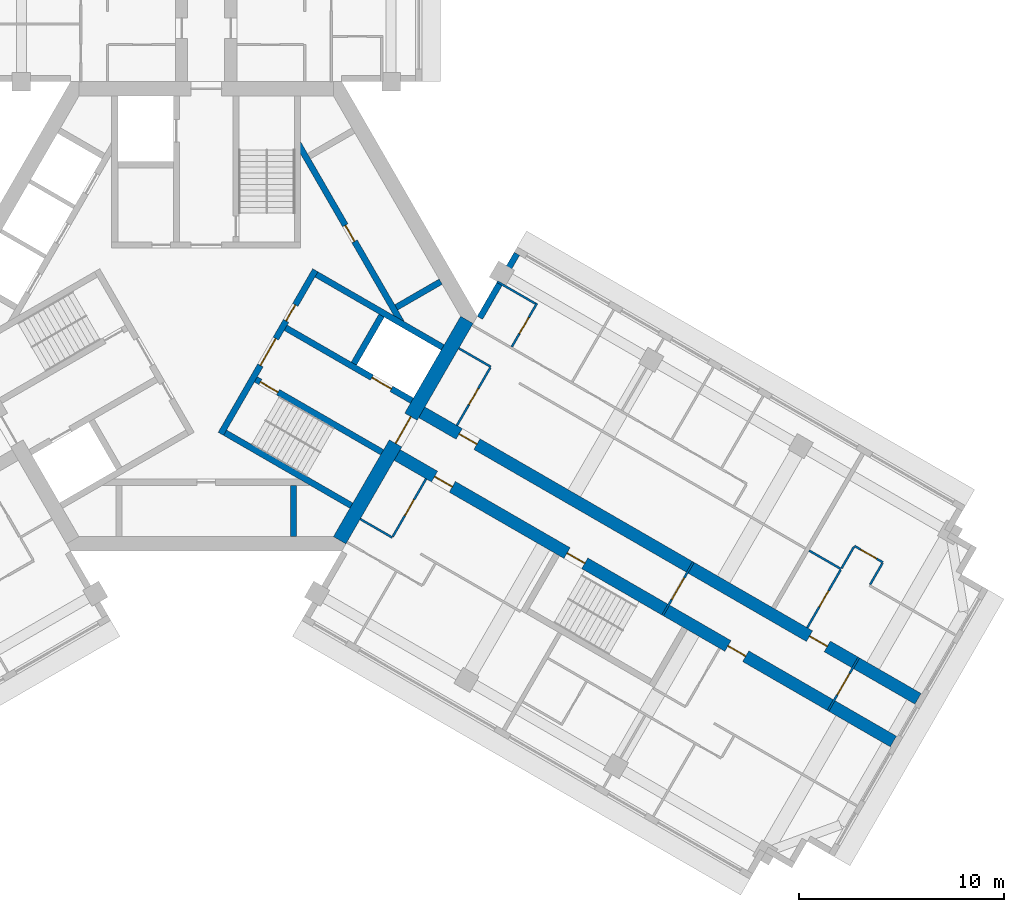
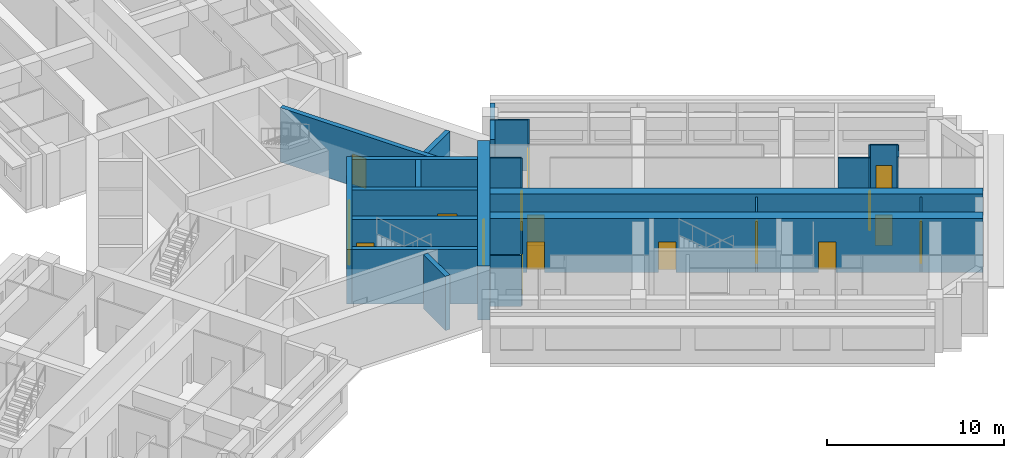
# One storey, part 5 of 10: 26 walls, 18 doors, 18 openings.
"""IFC4 building model written with IfcOpenShell, lengths in metres."""

from ifc_helpers import new_model, si_unit, direction, frame, frame_2d, origin, place, context, subcontext, project, spatial, rectangle, extrude, material, layer, layer_set, type_object, element, fill, save


model = new_model("IFC4")

# Units and contexts
model_context = context("Model", 3, precision=1e-05, world=origin(), true_north=direction((0.0, 1.0)))
body_context = subcontext(model_context, "Body", "Model", "MODEL_VIEW")
ifc_project = project(units=[si_unit("LENGTHUNIT", "METRE"), si_unit("AREAUNIT", "SQUARE_METRE"), si_unit("VOLUMEUNIT", "CUBIC_METRE"), si_unit("PLANEANGLEUNIT", "RADIAN"), si_unit("MASSUNIT", "GRAM", prefix="KILO")], contexts=[model_context])

# Site, building, storey
site_placement = place(None, origin())
site = spatial("IfcSite", under=ifc_project, at=site_placement, CompositionType="ELEMENT")
building_placement = place(site_placement, origin())
building = spatial("IfcBuilding", under=site, at=building_placement, Name="Impinga Residences", CompositionType="ELEMENT")
storey_placement = place(building_placement, frame((0.0, 0.0, 237.25)))
storey = spatial("IfcBuildingStorey", under=building, at=storey_placement, Name="L59", CompositionType="ELEMENT", Elevation=237.25)

# Wall, openings, doors
ifc_material_1 = material(Name="Concrete C60/75", Category="concrete")
ifc_layer_1 = layer(ifc_material_1, 0.60009765625)
ifc_layer_set_1 = layer_set([ifc_layer_1], Name="Concrete C60/75")
wall_type_1 = type_object("IfcWallType", Name="BW3 corridor buttress wall, L46 to L73 600", PredefinedType="SHEAR", material=ifc_layer_set_1)
wall_1_placement = place(storey_placement, frame((10.19677734375, -4.50146484375, 0.0), z_axis=(0.0, 0.0, 1.0), x_axis=(0.866026415941, -0.499998246889, 0.0)))
wall_1 = element("IfcWall", 1, at=wall_1_placement, inside=storey, type_object=wall_type_1, Name="Corridor wall BW3 EC L59", PredefinedType="SHEAR", context=body_context, shape_type="SweptSolid", body=[
    extrude(rectangle(XDim=28.25, YDim=0.60009765625, at=frame_2d((14.125, 0.0))), origin(), (0.0, 0.0, 1.0), 3.75),
])
opening_1_placement = place(wall_1_placement, frame((2.449951171875, 0.0, 0.0)))
opening_1 = element("IfcOpeningElement", 2, at=opening_1_placement, cuts=wall_1, Name="Opening D1", PredefinedType="OPENING", context=body_context, shape_type="SweptSolid", body=[
    extrude(rectangle(XDim=1.0, YDim=2.10009765625, at=frame_2d((0.5, 1.050048828125))), frame((0.0, 0.31005859375, 0.0), z_axis=(0.0, -1.0, 0.0), x_axis=(1.0, 0.0, 0.0)), (0.0, 0.0, 1.0), 0.6201171875),
])
opening_2_placement = place(wall_1_placement, frame((22.14990234375, 0.0, 0.0)))
opening_2 = element("IfcOpeningElement", 3, at=opening_2_placement, cuts=wall_1, Name="Opening D1", PredefinedType="OPENING", context=body_context, shape_type="SweptSolid", body=[
    extrude(rectangle(XDim=1.0, YDim=2.10009765625, at=frame_2d((0.5, 1.050048828125))), frame((0.0, 0.31005859375, 0.0), z_axis=(0.0, -1.0, 0.0), x_axis=(1.0, 0.0, 0.0)), (0.0, 0.0, 1.0), 0.6201171875),
])
ifc_material_2 = material(Name="Timber door set", Category="wood")
door_type_1 = type_object("IfcDoorType", Name="D1 apartment entrance door 1000x2100", OperationType="SINGLE_SWING_LEFT", PredefinedType="DOOR", material=ifc_material_2)
door_1_placement = place(opening_1_placement, origin())
door_1 = element("IfcDoor", 4, at=door_1_placement, inside=storey, type_object=door_type_1, Name="Apartment L59-EA1 entrance", OperationType="SINGLE_SWING_LEFT", OverallHeight=2.10009765625, OverallWidth=1.0, PredefinedType="DOOR", context=body_context, shape_type="SweptSolid", body=[
    extrude(rectangle(XDim=1.0, YDim=2.10009765625, at=frame_2d((0.5, 1.050048828125))), frame((0.0, 0.02490234375, 0.0), z_axis=(0.0, -1.0, 0.0), x_axis=(1.0, 0.0, 0.0)), (0.0, 0.0, 1.0), 0.050048828125),
])
fill(opening_1, door_1)
door_2_placement = place(opening_2_placement, origin())
door_2 = element("IfcDoor", 5, at=door_2_placement, inside=storey, type_object=door_type_1, Name="Apartment L59-EA2 entrance", OperationType="SINGLE_SWING_RIGHT", OverallHeight=2.10009765625, OverallWidth=1.0, PredefinedType="DOOR", context=body_context, shape_type="SweptSolid", body=[
    extrude(rectangle(XDim=1.0, YDim=2.10009765625, at=frame_2d((0.5, 1.050048828125))), frame((0.0, 0.02490234375, 0.0), z_axis=(0.0, -1.0, 0.0), x_axis=(1.0, 0.0, 0.0)), (0.0, 0.0, 1.0), 0.050048828125),
])
fill(opening_2, door_2)

wall_2_placement = place(storey_placement, frame((8.996826171875, -6.580078125, 0.0), z_axis=(0.0, 0.0, 1.0), x_axis=(0.866026415941, -0.499998246889, 0.0)))
wall_2 = element("IfcWall", 6, at=wall_2_placement, inside=storey, type_object=wall_type_1, Name="Corridor wall BW3 ED L59", PredefinedType="SHEAR", context=body_context, shape_type="SweptSolid", body=[
    extrude(rectangle(XDim=28.25, YDim=0.60009765625, at=frame_2d((14.125, 0.0))), origin(), (0.0, 0.0, 1.0), 3.75),
])
opening_3_placement = place(wall_2_placement, frame((9.89990234375, 0.0, 0.0)))
opening_3 = element("IfcOpeningElement", 7, at=opening_3_placement, cuts=wall_2, Name="Opening D5", PredefinedType="OPENING", context=body_context, shape_type="SweptSolid", body=[
    extrude(rectangle(XDim=1.0, YDim=2.10009765625, at=frame_2d((0.5, 1.050048828125))), frame((0.0, 0.31005859375, 0.0), z_axis=(0.0, -1.0, 0.0), x_axis=(1.0, 0.0, 0.0)), (0.0, 0.0, 1.0), 0.6201171875),
])
opening_4_placement = place(wall_2_placement, frame((2.449951171875, 0.0, 0.0)))
opening_4 = element("IfcOpeningElement", 8, at=opening_4_placement, cuts=wall_2, Name="Opening D1", PredefinedType="OPENING", context=body_context, shape_type="SweptSolid", body=[
    extrude(rectangle(XDim=1.0, YDim=2.10009765625, at=frame_2d((0.5, 1.050048828125))), frame((0.0, 0.31005859375, 0.0), z_axis=(0.0, -1.0, 0.0), x_axis=(1.0, 0.0, 0.0)), (0.0, 0.0, 1.0), 0.6201171875),
])
opening_5_placement = place(wall_2_placement, frame((18.949951171875, 0.0, 0.0)))
opening_5 = element("IfcOpeningElement", 9, at=opening_5_placement, cuts=wall_2, Name="Opening D1", PredefinedType="OPENING", context=body_context, shape_type="SweptSolid", body=[
    extrude(rectangle(XDim=1.0, YDim=2.10009765625, at=frame_2d((0.5, 1.050048828125))), frame((0.0, 0.31005859375, 0.0), z_axis=(0.0, -1.0, 0.0), x_axis=(1.0, 0.0, 0.0)), (0.0, 0.0, 1.0), 0.6201171875),
])
door_3_placement = place(opening_4_placement, origin())
door_3 = element("IfcDoor", 10, at=door_3_placement, inside=storey, type_object=door_type_1, Name="Apartment L59-EF1 entrance", OperationType="SINGLE_SWING_LEFT", OverallHeight=2.10009765625, OverallWidth=1.0, PredefinedType="DOOR", context=body_context, shape_type="SweptSolid", body=[
    extrude(rectangle(XDim=1.0, YDim=2.10009765625, at=frame_2d((0.5, 1.050048828125))), frame((0.0, 0.02490234375, 0.0), z_axis=(0.0, -1.0, 0.0), x_axis=(1.0, 0.0, 0.0)), (0.0, 0.0, 1.0), 0.050048828125),
])
fill(opening_4, door_3)
door_4_placement = place(opening_5_placement, origin())
door_4 = element("IfcDoor", 11, at=door_4_placement, inside=storey, type_object=door_type_1, Name="Apartment L59-EF2 entrance", OperationType="SINGLE_SWING_RIGHT", OverallHeight=2.10009765625, OverallWidth=1.0, PredefinedType="DOOR", context=body_context, shape_type="SweptSolid", body=[
    extrude(rectangle(XDim=1.0, YDim=2.10009765625, at=frame_2d((0.5, 1.050048828125))), frame((0.0, 0.02490234375, 0.0), z_axis=(0.0, -1.0, 0.0), x_axis=(1.0, 0.0, 0.0)), (0.0, 0.0, 1.0), 0.050048828125),
])
fill(opening_5, door_4)
door_type_2 = type_object("IfcDoorType", Name="D5 stair door 1000x2100", OperationType="SINGLE_SWING_LEFT", PredefinedType="DOOR", material=ifc_material_2)
door_5_placement = place(opening_3_placement, origin())
door_5 = element("IfcDoor", 12, at=door_5_placement, inside=storey, type_object=door_type_2, Name="Wing stair door E", OperationType="SINGLE_SWING_LEFT", OverallHeight=2.10009765625, OverallWidth=1.0, PredefinedType="DOOR", context=body_context, shape_type="SweptSolid", body=[
    extrude(rectangle(XDim=1.0, YDim=2.10009765625, at=frame_2d((0.5, 1.050048828125))), frame((0.0, 0.02490234375, 0.0), z_axis=(0.0, -1.0, 0.0), x_axis=(1.0, 0.0, 0.0)), (0.0, 0.0, 1.0), 0.050048828125),
])
fill(opening_3, door_5)

# Wall, opening, door
ifc_material_3 = material(Name="Concrete blockwork", Category="masonry")
ifc_layer_2 = layer(ifc_material_3, 0.10009765625)
ifc_layer_set_2 = layer_set([ifc_layer_2], Name="CP1 core room partition, blockwork 100")
wall_type_2 = type_object("IfcWallType", Name="CP1 core room partition, blockwork 100", PredefinedType="PARTITIONING", material=ifc_layer_set_2)
wall_3_placement = place(storey_placement, frame((31.781005859375, -16.61669921875, 0.0), z_axis=(0.0, 0.0, 1.0), x_axis=(-0.499990139034, -0.866031096941, 0.0)))
wall_3 = element("IfcWall", 13, at=wall_3_placement, inside=storey, type_object=wall_type_2, Name="Core room partition, blockwork L59:E:LNG", PredefinedType="PARTITIONING", context=body_context, shape_type="SweptSolid", body=[
    extrude(rectangle(XDim=3.0, YDim=0.10009765625, at=frame_2d((1.5, 0.0))), origin(), (0.0, 0.0, 1.0), 3.530029296875),
])
opening_6_placement = place(wall_3_placement, frame((0.89990234375, 0.0, 0.0)))
opening_6 = element("IfcOpeningElement", 14, at=opening_6_placement, cuts=wall_3, Name="Opening D3", PredefinedType="OPENING", context=body_context, shape_type="SweptSolid", body=[
    extrude(rectangle(XDim=1.199951171875, YDim=2.10009765625, at=frame_2d((0.60009765625, 1.050048828125))), frame((0.0, 0.06005859375, 0.0), z_axis=(0.0, -1.0, 0.0), x_axis=(1.0, 0.0, 0.0)), (0.0, 0.0, 1.0), 0.1201171875),
])
door_type_3 = type_object("IfcDoorType", Name="D3 room door, leaf and a half 1200x2100", OperationType="DOUBLE_SWING_LEFT", PredefinedType="DOOR", material=ifc_material_2)
door_6_placement = place(opening_6_placement, origin())
door_6 = element("IfcDoor", 15, at=door_6_placement, inside=storey, type_object=door_type_3, Name="Residents' lounge door E", OperationType="DOUBLE_SWING_LEFT", OverallHeight=2.10009765625, OverallWidth=1.199951171875, PredefinedType="DOOR", context=body_context, shape_type="SweptSolid", body=[
    extrude(rectangle(XDim=1.199951171875, YDim=2.10009765625, at=frame_2d((0.60009765625, 1.050048828125))), frame((0.0, 0.02490234375, 0.0), z_axis=(0.0, -1.0, 0.0), x_axis=(1.0, 0.0, 0.0)), (0.0, 0.0, 1.0), 0.050048828125),
])
fill(opening_6, door_6)

wall_4_placement = place(storey_placement, frame((23.724853515625, -11.965576171875, 0.0), z_axis=(0.0, 0.0, 1.0), x_axis=(-0.50002537861, -0.866010750942, 0.0)))
wall_4 = element("IfcWall", 16, at=wall_4_placement, inside=storey, type_object=wall_type_2, Name="Core room partition, blockwork L59:E:SCR", PredefinedType="PARTITIONING", context=body_context, shape_type="SweptSolid", body=[
    extrude(rectangle(XDim=2.999755859375, YDim=0.10009765625, at=frame_2d((1.5, 0.0))), origin(), (0.0, 0.0, 1.0), 3.530029296875),
])
opening_7_placement = place(wall_4_placement, frame((0.89990234375, 0.0, 0.0)))
opening_7 = element("IfcOpeningElement", 17, at=opening_7_placement, cuts=wall_4, Name="Opening D3", PredefinedType="OPENING", context=body_context, shape_type="SweptSolid", body=[
    extrude(rectangle(XDim=1.199951171875, YDim=2.10009765625, at=frame_2d((0.60009765625, 1.050048828125))), frame((0.0, 0.06005859375, 0.0), z_axis=(0.0, -1.0, 0.0), x_axis=(1.0, 0.0, 0.0)), (0.0, 0.0, 1.0), 0.1201171875),
])
door_7_placement = place(opening_7_placement, origin())
door_7 = element("IfcDoor", 18, at=door_7_placement, inside=storey, type_object=door_type_3, Name="Corridor smoke door E", OperationType="DOUBLE_SWING_LEFT", OverallHeight=2.10009765625, OverallWidth=1.199951171875, PredefinedType="DOOR", context=body_context, shape_type="SweptSolid", body=[
    extrude(rectangle(XDim=1.199951171875, YDim=2.10009765625, at=frame_2d((0.60009765625, 1.050048828125))), frame((0.0, 0.02490234375, 0.0), z_axis=(0.0, -1.0, 0.0), x_axis=(1.0, 0.0, 0.0)), (0.0, 0.0, 1.0), 0.050048828125),
])
fill(opening_7, door_7)

# Walls
ifc_material_4 = material(Name="Terracotta rainscreen on blockwork", Category="masonry")
ifc_layer_3 = layer(ifc_material_4, 0.300048828125)
ifc_layer_set_3 = layer_set([ifc_layer_3], Name="EW1 external wall, terracotta rainscreen on blockwork 300")
wall_type_3 = type_object("IfcWallType", Name="EW1 external wall, terracotta rainscreen on blockwork 300", PredefinedType="SOLIDWALL", material=ifc_layer_set_3)
wall_5_placement = place(storey_placement, frame((13.329833984375, -0.074951171875, 0.0), z_axis=(0.0, 0.0, 1.0), x_axis=(0.500012057535, 0.866018442252, 0.0)))
element("IfcWall", 19, at=wall_5_placement, inside=storey, type_object=wall_type_3, Name="External wall EW1 L59", PredefinedType="SOLIDWALL", context=body_context, shape_type="SweptSolid", body=[
    extrude(rectangle(XDim=3.60009765625, YDim=0.300048828125, at=frame_2d((1.800048828125, 0.0))), origin(), (0.0, 0.0, 1.0), 3.530029296875),
])
ifc_material_5 = material(Name="Gypsum board on steel studs", Category="steel")
ifc_layer_4 = layer(ifc_material_5, 0.10009765625)
ifc_layer_set_4 = layer_set([ifc_layer_4], Name="Gypsum board on steel studs")
wall_type_4 = type_object("IfcWallType", Name="IP1 partition 100", PredefinedType="PARTITIONING", material=ifc_layer_set_4)
wall_6_placement = place(storey_placement, frame((12.300048828125, -1.558837890625, 0.0), z_axis=(0.0, 0.0, 1.0), x_axis=(0.866047807691, -0.499961193289, 0.0)))
element("IfcWall", 20, at=wall_6_placement, inside=storey, type_object=wall_type_4, Name="Partition L59-EA1:DIV0", PredefinedType="PARTITIONING", context=body_context, shape_type="SweptSolid", body=[
    extrude(rectangle(XDim=1.800048828125, YDim=0.10009765625, at=frame_2d((0.89990234375, 0.0))), origin(), (0.0, 0.0, 1.0), 3.530029296875),
])

# Wall, opening, door
wall_7_placement = place(storey_placement, frame((12.208740234375, -5.316650390625, 0.0), z_axis=(0.0, 0.0, 1.0), x_axis=(0.500017246033, 0.866015446554, 0.0)))
wall_7 = element("IfcWall", 21, at=wall_7_placement, inside=storey, type_object=wall_type_4, Name="Partition L59-EA1:IB1", PredefinedType="PARTITIONING", context=body_context, shape_type="SweptSolid", body=[
    extrude(rectangle(XDim=3.25, YDim=0.10009765625, at=frame_2d((1.625, 0.0))), origin(), (0.0, 0.0, 1.0), 3.530029296875),
])
opening_8_placement = place(wall_7_placement, frame((1.175048828125, 0.0, 0.0)))
opening_8 = element("IfcOpeningElement", 22, at=opening_8_placement, cuts=wall_7, Name="Opening D2", PredefinedType="OPENING", context=body_context, shape_type="SweptSolid", body=[
    extrude(rectangle(XDim=0.89990234375, YDim=2.10009765625, at=frame_2d((0.449951171875, 1.050048828125))), frame((0.0, 0.06005859375, 0.0), z_axis=(0.0, -1.0, 0.0), x_axis=(1.0, 0.0, 0.0)), (0.0, 0.0, 1.0), 0.1201171875),
])
door_type_4 = type_object("IfcDoorType", Name="D2 internal door 900x2100", OperationType="SINGLE_SWING_LEFT", PredefinedType="DOOR", material=ifc_material_2)
door_8_placement = place(opening_8_placement, origin())
door_8 = element("IfcDoor", 23, at=door_8_placement, inside=storey, type_object=door_type_4, Name="Apartment L59-EA1 bathroom door", OperationType="SINGLE_SWING_LEFT", OverallHeight=2.10009765625, OverallWidth=0.89990234375, PredefinedType="DOOR", context=body_context, shape_type="SweptSolid", body=[
    extrude(rectangle(XDim=0.89990234375, YDim=2.10009765625, at=frame_2d((0.449951171875, 1.050048828125))), frame((0.0, 0.02490234375, 0.0), z_axis=(0.0, -1.0, 0.0), x_axis=(1.0, 0.0, 0.0)), (0.0, 0.0, 1.0), 0.050048828125),
])
fill(opening_8, door_8)

wall_8_placement = place(storey_placement, frame((14.88037109375, -1.48974609375, 0.0), z_axis=(0.0, 0.0, 1.0), x_axis=(0.499943856944, 0.866057815567, 0.0)))
wall_8 = element("IfcWall", 24, at=wall_8_placement, inside=storey, type_object=wall_type_4, Name="Partition L59-EA1:EN1", PredefinedType="PARTITIONING", context=body_context, shape_type="SweptSolid", body=[
    extrude(rectangle(XDim=2.449951171875, YDim=0.10009765625, at=frame_2d((1.22509765625, 0.0))), origin(), (0.0, 0.0, 1.0), 3.530029296875),
])
opening_9_placement = place(wall_8_placement, frame((0.75, 0.0, 0.0)))
opening_9 = element("IfcOpeningElement", 25, at=opening_9_placement, cuts=wall_8, Name="Opening D2", PredefinedType="OPENING", context=body_context, shape_type="SweptSolid", body=[
    extrude(rectangle(XDim=0.89990234375, YDim=2.10009765625, at=frame_2d((0.449951171875, 1.050048828125))), frame((0.0, 0.06005859375, 0.0), z_axis=(0.0, -1.0, 0.0), x_axis=(1.0, 0.0, 0.0)), (0.0, 0.0, 1.0), 0.1201171875),
])
door_9_placement = place(opening_9_placement, origin())
door_9 = element("IfcDoor", 26, at=door_9_placement, inside=storey, type_object=door_type_4, Name="Apartment L59-EA1 en-suite door", OperationType="SINGLE_SWING_LEFT", OverallHeight=2.10009765625, OverallWidth=0.89990234375, PredefinedType="DOOR", context=body_context, shape_type="SweptSolid", body=[
    extrude(rectangle(XDim=0.89990234375, YDim=2.10009765625, at=frame_2d((0.449951171875, 1.050048828125))), frame((0.0, 0.02490234375, 0.0), z_axis=(0.0, -1.0, 0.0), x_axis=(1.0, 0.0, 0.0)), (0.0, 0.0, 1.0), 0.050048828125),
])
fill(opening_9, door_9)

# Walls
wall_9_placement = place(storey_placement, frame((14.175048828125, 1.688720703125, 0.0), z_axis=(0.0, 0.0, 1.0), x_axis=(0.866019166195, -0.500010803666, 0.0)))
element("IfcWall", 27, at=wall_9_placement, inside=storey, type_object=wall_type_4, Name="Partition L59-EA1:EN2", PredefinedType="PARTITIONING", context=body_context, shape_type="SweptSolid", body=[
    extrude(rectangle(XDim=2.14990234375, YDim=0.10009765625, at=frame_2d((1.074951171875, 0.0))), origin(), (0.0, 0.0, 1.0), 3.530029296875),
])
wall_10_placement = place(storey_placement, frame((29.360595703125, -11.408935546875, 0.0), z_axis=(0.0, 0.0, 1.0), x_axis=(0.866047807691, -0.499961193289, 0.0)))
element("IfcWall", 28, at=wall_10_placement, inside=storey, type_object=wall_type_4, Name="Partition L59-EA2:DIV0", PredefinedType="PARTITIONING", context=body_context, shape_type="SweptSolid", body=[
    extrude(rectangle(XDim=1.800048828125, YDim=0.10009765625, at=frame_2d((0.89990234375, 0.0))), origin(), (0.0, 0.0, 1.0), 3.530029296875),
])

# Wall, opening, door
wall_11_placement = place(storey_placement, frame((31.569580078125, -11.18310546875, 0.0), z_axis=(0.0, 0.0, 1.0), x_axis=(0.866055983265, -0.499947031044, 0.0)))
wall_11 = element("IfcWall", 29, at=wall_11_placement, inside=storey, type_object=wall_type_4, Name="Partition L59-EA2:STRIP", PredefinedType="PARTITIONING", context=body_context, shape_type="SweptSolid", body=[
    extrude(rectangle(XDim=1.599853515625, YDim=0.10009765625, at=frame_2d((0.7998046875, 0.0))), origin(), (0.0, 0.0, 1.0), 3.530029296875),
])
opening_10_placement = place(wall_11_placement, frame((0.35009765625, 0.0, 0.0)))
opening_10 = element("IfcOpeningElement", 30, at=opening_10_placement, cuts=wall_11, Name="Opening D2", PredefinedType="OPENING", context=body_context, shape_type="SweptSolid", body=[
    extrude(rectangle(XDim=0.89990234375, YDim=2.10009765625, at=frame_2d((0.449951171875, 1.050048828125))), frame((0.0, 0.06005859375, 0.0), z_axis=(0.0, -1.0, 0.0), x_axis=(1.0, 0.0, 0.0)), (0.0, 0.0, 1.0), 0.1201171875),
])
door_10_placement = place(opening_10_placement, origin())
door_10 = element("IfcDoor", 31, at=door_10_placement, inside=storey, type_object=door_type_4, Name="Apartment L59-EA2 room door", OperationType="SINGLE_SWING_LEFT", OverallHeight=2.10009765625, OverallWidth=0.89990234375, PredefinedType="DOOR", context=body_context, shape_type="SweptSolid", body=[
    extrude(rectangle(XDim=0.89990234375, YDim=2.10009765625, at=frame_2d((0.449951171875, 1.050048828125))), frame((0.0, 0.02490234375, 0.0), z_axis=(0.0, -1.0, 0.0), x_axis=(1.0, 0.0, 0.0)), (0.0, 0.0, 1.0), 0.050048828125),
])
fill(opening_10, door_10)

# Walls
for number, where, z_axis, x_axis, name in (
    (32, (30.944580078125, -12.265625, 0.0), (0.0, 0.0, 1.0), (0.499880961361, 0.866094119867, 0.0), "Partition L59-EA2:SE0"),
    (33, (32.330078125, -13.0654296875, 0.0), (0.0, 0.0, 1.0), (0.50012165622, 0.865955154139, 0.0), "Partition L59-EA2:SE1"),
):
    element("IfcWall", number, at=place(storey_placement, frame(where, z_axis=z_axis, x_axis=x_axis)), inside=storey, type_object=wall_type_4, Name=name, PredefinedType="PARTITIONING", context=body_context, shape_type="SweptSolid", body=[
        extrude(rectangle(XDim=1.199951171875, YDim=0.10009765625, at=frame_2d((0.60009765625, 0.0))), origin(), (0.0, 0.0, 1.0), 3.530029296875),
    ])

# Wall, opening, door
wall_12_placement = place(storey_placement, frame((29.26953125, -15.166748046875, 0.0), z_axis=(0.0, 0.0, 1.0), x_axis=(0.499984717929, 0.866034226713, 0.0)))
wall_12 = element("IfcWall", 34, at=wall_12_placement, inside=storey, type_object=wall_type_4, Name="Partition L59-EA2:IB1", PredefinedType="PARTITIONING", context=body_context, shape_type="SweptSolid", body=[
    extrude(rectangle(XDim=3.25, YDim=0.10009765625, at=frame_2d((1.625, 0.0))), origin(), (0.0, 0.0, 1.0), 3.530029296875),
])
opening_11_placement = place(wall_12_placement, frame((1.175048828125, 0.0, 0.0)))
opening_11 = element("IfcOpeningElement", 35, at=opening_11_placement, cuts=wall_12, Name="Opening D2", PredefinedType="OPENING", context=body_context, shape_type="SweptSolid", body=[
    extrude(rectangle(XDim=0.89990234375, YDim=2.10009765625, at=frame_2d((0.449951171875, 1.050048828125))), frame((0.0, 0.06005859375, 0.0), z_axis=(0.0, -1.0, 0.0), x_axis=(1.0, 0.0, 0.0)), (0.0, 0.0, 1.0), 0.1201171875),
])
door_11_placement = place(opening_11_placement, origin())
door_11 = element("IfcDoor", 36, at=door_11_placement, inside=storey, type_object=door_type_4, Name="Apartment L59-EA2 bathroom door", OperationType="SINGLE_SWING_LEFT", OverallHeight=2.10009765625, OverallWidth=0.89990234375, PredefinedType="DOOR", context=body_context, shape_type="SweptSolid", body=[
    extrude(rectangle(XDim=0.89990234375, YDim=2.10009765625, at=frame_2d((0.449951171875, 1.050048828125))), frame((0.0, 0.02490234375, 0.0), z_axis=(0.0, -1.0, 0.0), x_axis=(1.0, 0.0, 0.0)), (0.0, 0.0, 1.0), 0.050048828125),
])
fill(opening_11, door_11)

# Wall
wall_13_placement = place(storey_placement, frame((7.5, -9.872802734375, 0.0), z_axis=(0.0, 0.0, 1.0), x_axis=(0.866047807691, -0.499961193289, 0.0)))
element("IfcWall", 37, at=wall_13_placement, inside=storey, type_object=wall_type_4, Name="Partition L59-EF1:DIV0", PredefinedType="PARTITIONING", context=body_context, shape_type="SweptSolid", body=[
    extrude(rectangle(XDim=1.800048828125, YDim=0.10009765625, at=frame_2d((0.89990234375, 0.0))), origin(), (0.0, 0.0, 1.0), 3.530029296875),
])

# Wall, opening, door
wall_14_placement = place(storey_placement, frame((10.708740234375, -7.914794921875, 0.0), z_axis=(0.0, 0.0, 1.0), x_axis=(-0.499984717929, -0.866034226713, 0.0)))
wall_14 = element("IfcWall", 38, at=wall_14_placement, inside=storey, type_object=wall_type_4, Name="Partition L59-EF1:IB1", PredefinedType="PARTITIONING", context=body_context, shape_type="SweptSolid", body=[
    extrude(rectangle(XDim=3.25, YDim=0.10009765625, at=frame_2d((1.625, 0.0))), origin(), (0.0, 0.0, 1.0), 3.530029296875),
])
opening_12_placement = place(wall_14_placement, frame((1.175048828125, 0.0, 0.0)))
opening_12 = element("IfcOpeningElement", 39, at=opening_12_placement, cuts=wall_14, Name="Opening D2", PredefinedType="OPENING", context=body_context, shape_type="SweptSolid", body=[
    extrude(rectangle(XDim=0.89990234375, YDim=2.10009765625, at=frame_2d((0.449951171875, 1.050048828125))), frame((0.0, 0.06005859375, 0.0), z_axis=(0.0, -1.0, 0.0), x_axis=(1.0, 0.0, 0.0)), (0.0, 0.0, 1.0), 0.1201171875),
])
door_12_placement = place(opening_12_placement, origin())
door_12 = element("IfcDoor", 40, at=door_12_placement, inside=storey, type_object=door_type_4, Name="Apartment L59-EF1 bathroom door", OperationType="SINGLE_SWING_LEFT", OverallHeight=2.10009765625, OverallWidth=0.89990234375, PredefinedType="DOOR", context=body_context, shape_type="SweptSolid", body=[
    extrude(rectangle(XDim=0.89990234375, YDim=2.10009765625, at=frame_2d((0.449951171875, 1.050048828125))), frame((0.0, 0.02490234375, 0.0), z_axis=(0.0, -1.0, 0.0), x_axis=(1.0, 0.0, 0.0)), (0.0, 0.0, 1.0), 0.050048828125),
])
fill(opening_12, door_12)

ifc_layer_5 = layer(ifc_material_1, 0.699951171875)
ifc_layer_set_5 = layer_set([ifc_layer_5], Name="Concrete C60/75")
wall_type_5 = type_object("IfcWallType", Name="SW3 core wall 700", PredefinedType="SHEAR", material=ifc_layer_set_5)
wall_15_placement = place(storey_placement, frame((12.69482421875, -0.175048828125, 0.0), z_axis=(0.0, 0.0, 1.0), x_axis=(-0.499999875397, -0.866025475724, 0.0)))
wall_15 = element("IfcWall", 41, at=wall_15_placement, inside=storey, type_object=wall_type_5, Name="Core wall SW3 E:FACE L59", PredefinedType="SHEAR", context=body_context, shape_type="SweptSolid", body=[
    extrude(rectangle(XDim=12.3916015625, YDim=0.699951171875, at=frame_2d((6.19580078125, 0.0))), origin(), (0.0, 0.0, 1.0), 3.75),
])
opening_13_placement = place(wall_15_placement, frame((5.44580078125, 0.0, 0.0)))
opening_13 = element("IfcOpeningElement", 42, at=opening_13_placement, cuts=wall_15, Name="Opening D4", PredefinedType="OPENING", context=body_context, shape_type="SweptSolid", body=[
    extrude(rectangle(XDim=1.5, YDim=2.10009765625, at=frame_2d((0.75, 1.050048828125))), frame((0.0, 0.35986328125, 0.0), z_axis=(0.0, -1.0, 0.0), x_axis=(1.0, 0.0, 0.0)), (0.0, 0.0, 1.0), 0.719970703125),
])
door_type_5 = type_object("IfcDoorType", Name="D4 lobby door pair 1500x2100", OperationType="DOUBLE_DOOR_DOUBLE_SWING", PredefinedType="DOOR", material=ifc_material_2)
door_13_placement = place(opening_13_placement, origin())
door_13 = element("IfcDoor", 43, at=door_13_placement, inside=storey, type_object=door_type_5, Name="Lobby door E", OperationType="DOUBLE_DOOR_DOUBLE_SWING", OverallHeight=2.10009765625, OverallWidth=1.5, PredefinedType="DOOR", context=body_context, shape_type="SweptSolid", body=[
    extrude(rectangle(XDim=1.5, YDim=2.10009765625, at=frame_2d((0.75, 1.050048828125))), frame((0.0, 0.02490234375, 0.0), z_axis=(0.0, -1.0, 0.0), x_axis=(1.0, 0.0, 0.0)), (0.0, 0.0, 1.0), 0.050048828125),
])
fill(opening_13, door_13)

# Wall, openings, doors
ifc_material_6 = material(Name="Concrete C70/85", Category="concrete")
ifc_layer_6 = layer(ifc_material_6, 0.300048828125)
ifc_layer_set_6 = layer_set([ifc_layer_6], Name="Concrete C70/85")
wall_type_6 = type_object("IfcWallType", Name="SW5 core inner wall, stairs, shafts and lobbies 300", PredefinedType="SHEAR", material=ifc_layer_set_6)
wall_16_placement = place(storey_placement, frame((5.313720703125, 2.24365234375, 0.0), z_axis=(0.0, 0.0, 1.0), x_axis=(-0.499995050369, -0.866028261437, 0.0)))
wall_16 = element("IfcWall", 44, at=wall_16_placement, inside=storey, type_object=wall_type_6, Name="Core wall SW5 E:ZONE L59", PredefinedType="SHEAR", context=body_context, shape_type="SweptSolid", body=[
    extrude(rectangle(XDim=9.19970703125, YDim=0.300048828125, at=frame_2d((4.599853515625, 0.0))), origin(), (0.0, 0.0, 1.0), 3.75),
])
opening_14_placement = place(wall_16_placement, frame((3.85009765625, 0.0, 0.0)))
opening_14 = element("IfcOpeningElement", 45, at=opening_14_placement, cuts=wall_16, Name="Opening D4", PredefinedType="OPENING", context=body_context, shape_type="SweptSolid", body=[
    extrude(rectangle(XDim=1.5, YDim=2.10009765625, at=frame_2d((0.75, 1.050048828125))), frame((0.0, 0.159912109375, 0.0), z_axis=(0.0, -1.0, 0.0), x_axis=(1.0, 0.0, 0.0)), (0.0, 0.0, 1.0), 0.320068359375),
])
opening_15_placement = place(wall_16_placement, frame((1.949951171875, 0.0, 0.0)))
opening_15 = element("IfcOpeningElement", 46, at=opening_15_placement, cuts=wall_16, Name="Opening D6", PredefinedType="OPENING", context=body_context, shape_type="SweptSolid", body=[
    extrude(rectangle(XDim=0.89990234375, YDim=2.10009765625, at=frame_2d((0.449951171875, 1.050048828125))), frame((0.0, 0.159912109375, 0.0), z_axis=(0.0, -1.0, 0.0), x_axis=(1.0, 0.0, 0.0)), (0.0, 0.0, 1.0), 0.320068359375),
])
door_14_placement = place(opening_14_placement, origin())
door_14 = element("IfcDoor", 47, at=door_14_placement, inside=storey, type_object=door_type_5, Name="Firefighting lobby door E", OperationType="DOUBLE_DOOR_DOUBLE_SWING", OverallHeight=2.10009765625, OverallWidth=1.5, PredefinedType="DOOR", context=body_context, shape_type="SweptSolid", body=[
    extrude(rectangle(XDim=1.5, YDim=2.10009765625, at=frame_2d((0.75, 1.050048828125))), frame((0.0, 0.02490234375, 0.0), z_axis=(0.0, -1.0, 0.0), x_axis=(1.0, 0.0, 0.0)), (0.0, 0.0, 1.0), 0.050048828125),
])
fill(opening_14, door_14)
door_type_6 = type_object("IfcDoorType", Name="D6 riser and store door 900x2100", OperationType="SINGLE_SWING_LEFT", PredefinedType="DOOR", material=ifc_material_2)
door_15_placement = place(opening_15_placement, origin())
door_15 = element("IfcDoor", 48, at=door_15_placement, inside=storey, type_object=door_type_6, Name="Riser door E", OperationType="SINGLE_SWING_LEFT", OverallHeight=2.10009765625, OverallWidth=0.89990234375, PredefinedType="DOOR", context=body_context, shape_type="SweptSolid", body=[
    extrude(rectangle(XDim=0.89990234375, YDim=2.10009765625, at=frame_2d((0.449951171875, 1.050048828125))), frame((0.0, 0.02490234375, 0.0), z_axis=(0.0, -1.0, 0.0), x_axis=(1.0, 0.0, 0.0)), (0.0, 0.0, 1.0), 0.050048828125),
])
fill(opening_15, door_15)

# Wall, opening, door
wall_17_placement = place(storey_placement, frame((2.418701171875, -3.07080078125, 0.0), z_axis=(0.0, 0.0, 1.0), x_axis=(0.866025859768, -0.499999210213, 0.0)))
wall_17 = element("IfcWall", 49, at=wall_17_placement, inside=storey, type_object=wall_type_6, Name="Core wall SW5 E:ST-IN L59", PredefinedType="SHEAR", context=body_context, shape_type="SweptSolid", body=[
    extrude(rectangle(XDim=7.1015625, YDim=0.300048828125, at=frame_2d((3.55078125, 0.0))), origin(), (0.0, 0.0, 1.0), 3.75),
])
opening_16_placement = place(wall_17_placement, frame((0.25, 0.0, 0.0)))
opening_16 = element("IfcOpeningElement", 50, at=opening_16_placement, cuts=wall_17, Name="Opening D5", PredefinedType="OPENING", context=body_context, shape_type="SweptSolid", body=[
    extrude(rectangle(XDim=1.0, YDim=2.10009765625, at=frame_2d((0.5, 1.050048828125))), frame((0.0, 0.159912109375, 0.0), z_axis=(0.0, -1.0, 0.0), x_axis=(1.0, 0.0, 0.0)), (0.0, 0.0, 1.0), 0.320068359375),
])
door_16_placement = place(opening_16_placement, origin())
door_16 = element("IfcDoor", 51, at=door_16_placement, inside=storey, type_object=door_type_2, Name="Stair door E", OperationType="SINGLE_SWING_LEFT", OverallHeight=2.10009765625, OverallWidth=1.0, PredefinedType="DOOR", context=body_context, shape_type="SweptSolid", body=[
    extrude(rectangle(XDim=1.0, YDim=2.10009765625, at=frame_2d((0.5, 1.050048828125))), frame((0.0, 0.02490234375, 0.0), z_axis=(0.0, -1.0, 0.0), x_axis=(1.0, 0.0, 0.0)), (0.0, 0.0, 1.0), 0.050048828125),
])
fill(opening_16, door_16)

# Wall
wall_18_placement = place(storey_placement, frame((0.918701171875, -5.668701171875, 0.0), z_axis=(0.0, 0.0, 1.0), x_axis=(0.866025859768, -0.499999210213, 0.0)))
element("IfcWall", 52, at=wall_18_placement, inside=storey, type_object=wall_type_6, Name="Core wall SW5 E:ST-OUT L59", PredefinedType="SHEAR", context=body_context, shape_type="SweptSolid", body=[
    extrude(rectangle(XDim=7.1015625, YDim=0.300048828125, at=frame_2d((3.55078125, 0.0))), origin(), (0.0, 0.0, 1.0), 3.75),
])

# Wall, opening, door
wall_19_placement = place(storey_placement, frame((3.86865234375, -0.559326171875, 0.0), z_axis=(0.0, 0.0, 1.0), x_axis=(0.866025859768, -0.499999210213, 0.0)))
wall_19 = element("IfcWall", 53, at=wall_19_placement, inside=storey, type_object=wall_type_6, Name="Core wall SW5 E:FF-IN L59", PredefinedType="SHEAR", context=body_context, shape_type="SweptSolid", body=[
    extrude(rectangle(XDim=7.1015625, YDim=0.300048828125, at=frame_2d((3.55078125, 0.0))), origin(), (0.0, 0.0, 1.0), 3.75),
])
opening_17_placement = place(wall_19_placement, frame((4.85009765625, 0.0, 0.0)))
opening_17 = element("IfcOpeningElement", 54, at=opening_17_placement, cuts=wall_19, Name="Opening LD2", PredefinedType="OPENING", context=body_context, shape_type="SweptSolid", body=[
    extrude(rectangle(XDim=1.10009765625, YDim=2.10009765625, at=frame_2d((0.550048828125, 1.050048828125))), frame((0.0, 0.159912109375, 0.0), z_axis=(0.0, -1.0, 0.0), x_axis=(1.0, 0.0, 0.0)), (0.0, 0.0, 1.0), 0.320068359375),
])
ifc_material_7 = material(Name="Steel lift landing door", Category="steel")
door_type_7 = type_object("IfcDoorType", Name="LD2 firefighting lift landing door 1100x2100", OperationType="DOUBLE_DOOR_SLIDING", PredefinedType="DOOR", material=ifc_material_7)
door_17_placement = place(opening_17_placement, origin())
door_17 = element("IfcDoor", 55, at=door_17_placement, inside=storey, type_object=door_type_7, Name="Firefighting lift landing door F3", OperationType="DOUBLE_DOOR_SLIDING", OverallHeight=2.10009765625, OverallWidth=1.10009765625, PredefinedType="DOOR", context=body_context, shape_type="SweptSolid", body=[
    extrude(rectangle(XDim=1.10009765625, YDim=2.10009765625, at=frame_2d((0.550048828125, 1.050048828125))), frame((0.0, 0.02490234375, 0.0), z_axis=(0.0, -1.0, 0.0), x_axis=(1.0, 0.0, 0.0)), (0.0, 0.0, 1.0), 0.050048828125),
])
fill(opening_17, door_17)

# Walls
wall_20_placement = place(storey_placement, frame((5.36865234375, 2.038818359375, 0.0), z_axis=(0.0, 0.0, 1.0), x_axis=(0.866025859768, -0.499999210213, 0.0)))
element("IfcWall", 56, at=wall_20_placement, inside=storey, type_object=wall_type_6, Name="Core wall SW5 E:FF-OUT L59", PredefinedType="SHEAR", context=body_context, shape_type="SweptSolid", body=[
    extrude(rectangle(XDim=7.1015625, YDim=0.300048828125, at=frame_2d((3.55078125, 0.0))), origin(), (0.0, 0.0, 1.0), 3.75),
])
wall_21_placement = place(storey_placement, frame((8.541259765625, 0.033935546875, 0.0), z_axis=(0.0, 0.0, 1.0), x_axis=(-0.50000943426, -0.866019956843, 0.0)))
element("IfcWall", 57, at=wall_21_placement, inside=storey, type_object=wall_type_6, Name="Core wall SW5 E:FF-RS L59", PredefinedType="SHEAR", context=body_context, shape_type="SweptSolid", body=[
    extrude(rectangle(XDim=2.7001953125, YDim=0.300048828125, at=frame_2d((1.35009765625, 0.0))), origin(), (0.0, 0.0, 1.0), 3.75),
])
wall_22_placement = place(storey_placement, frame((4.25, -8.2314453125, 0.0), z_axis=(0.0, 0.0, 1.0), x_axis=(0.0, -1.0, 0.0)))
element("IfcWall", 58, at=wall_22_placement, inside=storey, type_object=wall_type_6, Name="Core wall SW5 N:BANK-L L59", PredefinedType="SHEAR", context=body_context, shape_type="SweptSolid", body=[
    extrude(rectangle(XDim=2.5, YDim=0.300048828125, at=frame_2d((1.25, 0.0))), origin(), (0.0, 0.0, 1.0), 3.75),
])

# Wall, opening, door
wall_23_placement = place(storey_placement, frame((4.449951171875, 8.455322265625, 0.0), z_axis=(0.0, 0.0, 1.0), x_axis=(0.500002290144, -0.866024081565, 0.0)))
wall_23 = element("IfcWall", 59, at=wall_23_placement, inside=storey, type_object=wall_type_6, Name="Core wall SW5 W:BANK-FRONT L59", PredefinedType="SHEAR", context=body_context, shape_type="SweptSolid", body=[
    extrude(rectangle(XDim=10.1953125, YDim=0.300048828125, at=frame_2d((5.09765625, 0.0))), origin(), (0.0, 0.0, 1.0), 3.75),
])
opening_18_placement = place(wall_23_placement, frame((4.647705078125, 0.0, 0.0)))
opening_18 = element("IfcOpeningElement", 60, at=opening_18_placement, cuts=wall_23, Name="Opening D6", PredefinedType="OPENING", context=body_context, shape_type="SweptSolid", body=[
    extrude(rectangle(XDim=0.89990234375, YDim=2.10009765625, at=frame_2d((0.449951171875, 1.050048828125))), frame((0.0, 0.159912109375, 0.0), z_axis=(0.0, -1.0, 0.0), x_axis=(1.0, 0.0, 0.0)), (0.0, 0.0, 1.0), 0.320068359375),
])
door_18_placement = place(opening_18_placement, origin())
door_18 = element("IfcDoor", 61, at=door_18_placement, inside=storey, type_object=door_type_6, Name="IT and communications room door", OperationType="SINGLE_SWING_RIGHT", OverallHeight=2.10009765625, OverallWidth=0.89990234375, PredefinedType="DOOR", context=body_context, shape_type="SweptSolid", body=[
    extrude(rectangle(XDim=0.89990234375, YDim=2.10009765625, at=frame_2d((0.449951171875, 1.050048828125))), frame((0.0, 0.02490234375, 0.0), z_axis=(0.0, -1.0, 0.0), x_axis=(1.0, 0.0, 0.0)), (0.0, 0.0, 1.0), 0.050048828125),
])
fill(opening_18, door_18)

# Wall
wall_24_placement = place(storey_placement, frame((9.253662109375, 0.43505859375, 0.0), z_axis=(0.0, 0.0, 1.0), x_axis=(0.866022959057, 0.500004234368, 0.0)))
element("IfcWall", 62, at=wall_24_placement, inside=storey, type_object=wall_type_6, Name="Core wall SW5 W:BANK-R L59", PredefinedType="SHEAR", context=body_context, shape_type="SweptSolid", body=[
    extrude(rectangle(XDim=2.5, YDim=0.300048828125, at=frame_2d((1.25, 0.0))), origin(), (0.0, 0.0, 1.0), 3.75),
])

save(model, "model.ifc")
